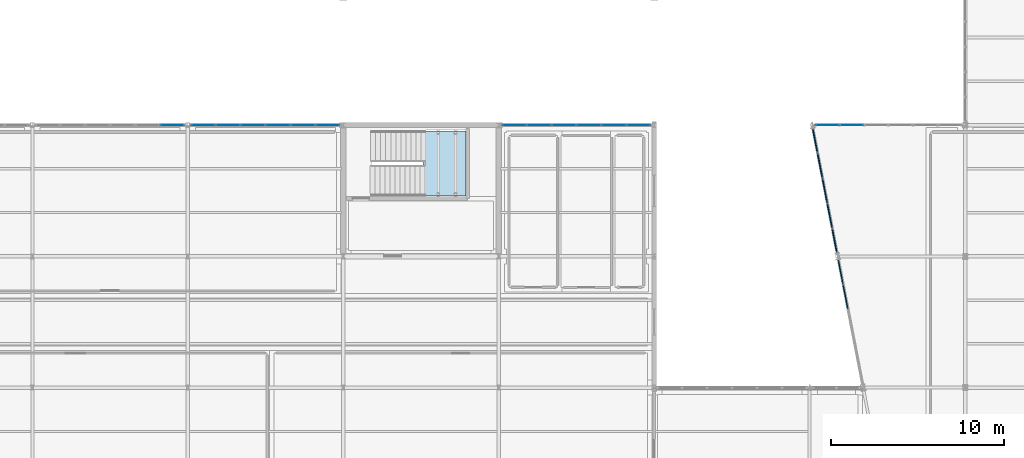
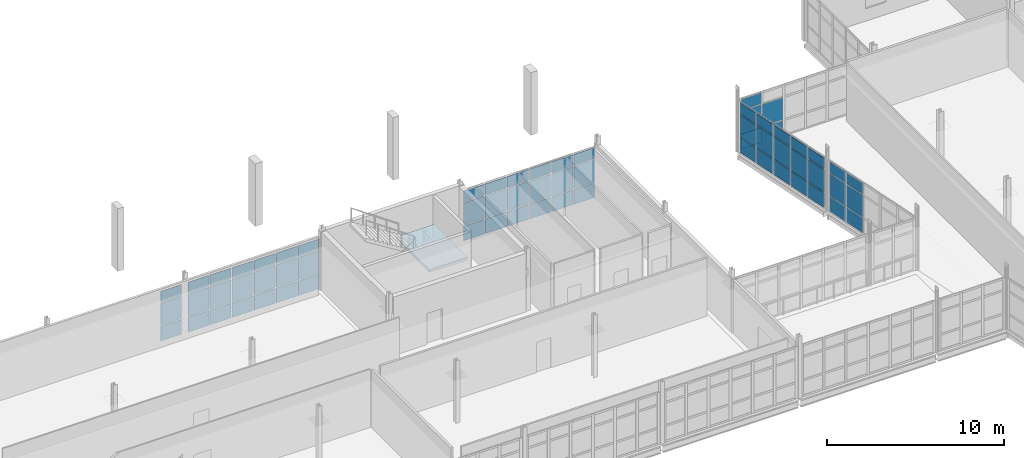
# One storey, part 134 of 166: 65 plates, 1 slab, 7 elements without a shape of their own.
"""IFC4 building model written with IfcOpenShell, lengths in metres."""

from ifc_helpers import new_model, si_unit, direction, frame, origin, origin_2d, place, context, subcontext, project, spatial, polyline, rectangle, outline, extrude, material, layer, layer_set, type_object, element, aggregate, save


model = new_model("IFC4")

# Units and contexts
model_context = context("Model", 3, precision=1e-05, world=origin(), true_north=direction((0.0, 1.0)))
body_context = subcontext(model_context, "Body", "Model", "MODEL_VIEW")
ifc_project = project(units=[si_unit("LENGTHUNIT", "METRE"), si_unit("AREAUNIT", "SQUARE_METRE"), si_unit("VOLUMEUNIT", "CUBIC_METRE"), si_unit("PLANEANGLEUNIT", "RADIAN"), si_unit("MASSUNIT", "GRAM", prefix="KILO")], contexts=[model_context])

# Site, building, storey
site_placement = place(None, origin())
site = spatial("IfcSite", under=ifc_project, at=site_placement, CompositionType="ELEMENT")
building_placement = place(site_placement, origin())
building = spatial("IfcBuilding", under=site, at=building_placement, Name="Caisbarro Railhouse Central Library", CompositionType="ELEMENT")
storey_placement = place(building_placement, frame((0.0, 0.0, 9.360107421875)))
storey = spatial("IfcBuildingStorey", under=building, at=storey_placement, Name="L02", CompositionType="ELEMENT", Elevation=9.360107421875)

# Curtain wall, plates
ifc_material_1 = material(Name="Anodised architectural aluminium", Category="aluminium")
curtain_wall_type_1 = type_object("IfcCurtainWallType", Name="CW-CW03", PredefinedType="NOTDEFINED", material=ifc_material_1)
curtain_wall_1_placement = place(storey_placement, origin())
curtain_wall_1 = element("IfcCurtainWall", 1, at=curtain_wall_1_placement, inside=storey, type_object=curtain_wall_type_1, Name="CW03 curtain wall L02 #131", PredefinedType="NOTDEFINED")
ifc_material_2 = material(Name="Double low-e laminated solar-control glass", Category="glass")
ifc_layer_1 = layer(ifc_material_2, 0.0380859375, Name="Double low-e laminated solar-control glass")
ifc_layer_set_1 = layer_set([ifc_layer_1], Name="Double low-e laminated solar-control glass")
plate_type_1 = type_object("IfcPlateType", Name="CWP-CP38", PredefinedType="CURTAIN_PANEL", material=ifc_layer_set_1)
plate_1_placement = place(storey_placement, frame((109.024169921875, 106.39990234375, 0.06494140625), z_axis=(0.0, 0.0, 1.0), x_axis=(1.0, 0.0, 0.0)))
plate_1 = element("IfcPlate", 2, at=plate_1_placement, type_object=plate_type_1, Name="CW03 panel 1.1", PredefinedType="CURTAIN_PANEL", context=body_context, shape_type="SweptSolid", body=[
    extrude(rectangle(XDim=1.326416015625, YDim=0.0380859375, at=origin_2d()), origin(), (0.0, 0.0, 1.0), 1.0224609375),
])
plate_2_placement = place(storey_placement, frame((109.024169921875, 106.39990234375, 1.15234375), z_axis=(0.0, 0.0, 1.0), x_axis=(1.0, 0.0, 0.0)))
plate_2 = element("IfcPlate", 3, at=plate_2_placement, type_object=plate_type_1, Name="CW03 panel 1.2", PredefinedType="CURTAIN_PANEL", context=body_context, shape_type="SweptSolid", body=[
    extrude(rectangle(XDim=1.326416015625, YDim=0.0380859375, at=origin_2d()), origin(), (0.0, 0.0, 1.0), 1.52490234375),
])
plate_3_placement = place(storey_placement, frame((109.024169921875, 106.39990234375, 2.742431640625), z_axis=(0.0, 0.0, 1.0), x_axis=(1.0, 0.0, 0.0)))
plate_3 = element("IfcPlate", 4, at=plate_3_placement, type_object=plate_type_1, Name="CW03 panel 1.3", PredefinedType="CURTAIN_PANEL", context=body_context, shape_type="SweptSolid", body=[
    extrude(rectangle(XDim=1.326416015625, YDim=0.0380859375, at=origin_2d()), origin(), (0.0, 0.0, 1.0), 0.75244140625),
])
plate_4_placement = place(storey_placement, frame((110.431884765625, 106.39990234375, 0.06494140625), z_axis=(0.0, 0.0, 1.0), x_axis=(1.0, 0.0, 0.0)))
plate_4 = element("IfcPlate", 5, at=plate_4_placement, type_object=plate_type_1, Name="CW03 panel 2.1", PredefinedType="CURTAIN_PANEL", context=body_context, shape_type="SweptSolid", body=[
    extrude(rectangle(XDim=1.35888671875, YDim=0.0380859375, at=origin_2d()), origin(), (0.0, 0.0, 1.0), 1.0224609375),
])
plate_5_placement = place(storey_placement, frame((110.431884765625, 106.39990234375, 1.15234375), z_axis=(0.0, 0.0, 1.0), x_axis=(1.0, 0.0, 0.0)))
plate_5 = element("IfcPlate", 6, at=plate_5_placement, type_object=plate_type_1, Name="CW03 panel 2.2", PredefinedType="CURTAIN_PANEL", context=body_context, shape_type="SweptSolid", body=[
    extrude(rectangle(XDim=1.35888671875, YDim=0.0380859375, at=origin_2d()), origin(), (0.0, 0.0, 1.0), 1.52490234375),
])
aggregate(curtain_wall_1, [plate_1, plate_2, plate_3, plate_4, plate_5])

curtain_wall_2_placement = place(storey_placement, origin())
curtain_wall_2 = element("IfcCurtainWall", 7, at=curtain_wall_2_placement, inside=storey, type_object=curtain_wall_type_1, Name="CW03 curtain wall L02 #181", PredefinedType="NOTDEFINED")
plate_6_placement = place(storey_placement, frame((71.100341796875, 106.39990234375, 0.07470703125), z_axis=(0.0, 0.0, 1.0), x_axis=(1.0, 0.0, 0.0)))
plate_6 = element("IfcPlate", 8, at=plate_6_placement, type_object=plate_type_1, Name="CW03 panel 6.1", PredefinedType="CURTAIN_PANEL", context=body_context, shape_type="SweptSolid", body=[
    extrude(rectangle(XDim=1.34912109375, YDim=0.0380859375, at=origin_2d()), origin(), (0.0, 0.0, 1.0), 1.007568359375),
])
plate_7_placement = place(storey_placement, frame((71.100341796875, 106.39990234375, 1.1572265625), z_axis=(0.0, 0.0, 1.0), x_axis=(1.0, 0.0, 0.0)))
plate_7 = element("IfcPlate", 9, at=plate_7_placement, type_object=plate_type_1, Name="CW03 panel 6.2", PredefinedType="CURTAIN_PANEL", context=body_context, shape_type="SweptSolid", body=[
    extrude(rectangle(XDim=1.34912109375, YDim=0.0380859375, at=origin_2d()), origin(), (0.0, 0.0, 1.0), 1.534912109375),
])
plate_8_placement = place(storey_placement, frame((71.100341796875, 106.39990234375, 2.767578125), z_axis=(0.0, 0.0, 1.0), x_axis=(1.0, 0.0, 0.0)))
plate_8 = element("IfcPlate", 10, at=plate_8_placement, type_object=plate_type_1, Name="CW03 panel 6.3", PredefinedType="CURTAIN_PANEL", context=body_context, shape_type="SweptSolid", body=[
    extrude(rectangle(XDim=1.34912109375, YDim=0.0380859375, at=origin_2d()), origin(), (0.0, 0.0, 1.0), 0.737548828125),
])
aggregate(curtain_wall_2, [plate_6, plate_7, plate_8])

curtain_wall_3_placement = place(storey_placement, origin())
curtain_wall_3 = element("IfcCurtainWall", 11, at=curtain_wall_3_placement, inside=storey, type_object=curtain_wall_type_1, Name="CW03 curtain wall L02 #183", PredefinedType="NOTDEFINED")
plate_9_placement = place(storey_placement, frame((72.899658203125, 106.39990234375, 0.07470703125), z_axis=(0.0, 0.0, 1.0), x_axis=(1.0, 0.0, 0.0)))
plate_9 = element("IfcPlate", 12, at=plate_9_placement, type_object=plate_type_1, Name="CW03 panel 1.1", PredefinedType="CURTAIN_PANEL", context=body_context, shape_type="SweptSolid", body=[
    extrude(rectangle(XDim=1.34912109375, YDim=0.0380859375, at=origin_2d()), origin(), (0.0, 0.0, 1.0), 1.007568359375),
])
plate_10_placement = place(storey_placement, frame((72.899658203125, 106.39990234375, 1.1572265625), z_axis=(0.0, 0.0, 1.0), x_axis=(1.0, 0.0, 0.0)))
plate_10 = element("IfcPlate", 13, at=plate_10_placement, type_object=plate_type_1, Name="CW03 panel 1.2", PredefinedType="CURTAIN_PANEL", context=body_context, shape_type="SweptSolid", body=[
    extrude(rectangle(XDim=1.34912109375, YDim=0.0380859375, at=origin_2d()), origin(), (0.0, 0.0, 1.0), 1.534912109375),
])
plate_11_placement = place(storey_placement, frame((72.899658203125, 106.39990234375, 2.767578125), z_axis=(0.0, 0.0, 1.0), x_axis=(1.0, 0.0, 0.0)))
plate_11 = element("IfcPlate", 14, at=plate_11_placement, type_object=plate_type_1, Name="CW03 panel 1.3", PredefinedType="CURTAIN_PANEL", context=body_context, shape_type="SweptSolid", body=[
    extrude(rectangle(XDim=1.34912109375, YDim=0.0380859375, at=origin_2d()), origin(), (0.0, 0.0, 1.0), 0.737548828125),
])
plate_12_placement = place(storey_placement, frame((74.330078125, 106.39990234375, 0.07470703125), z_axis=(0.0, 0.0, 1.0), x_axis=(1.0, 0.0, 0.0)))
plate_12 = element("IfcPlate", 15, at=plate_12_placement, type_object=plate_type_1, Name="CW03 panel 2.1", PredefinedType="CURTAIN_PANEL", context=body_context, shape_type="SweptSolid", body=[
    extrude(rectangle(XDim=1.381591796875, YDim=0.0380859375, at=origin_2d()), origin(), (0.0, 0.0, 1.0), 1.007568359375),
])
plate_13_placement = place(storey_placement, frame((74.330078125, 106.39990234375, 1.1572265625), z_axis=(0.0, 0.0, 1.0), x_axis=(1.0, 0.0, 0.0)))
plate_13 = element("IfcPlate", 16, at=plate_13_placement, type_object=plate_type_1, Name="CW03 panel 2.2", PredefinedType="CURTAIN_PANEL", context=body_context, shape_type="SweptSolid", body=[
    extrude(rectangle(XDim=1.381591796875, YDim=0.0380859375, at=origin_2d()), origin(), (0.0, 0.0, 1.0), 1.534912109375),
])
plate_14_placement = place(storey_placement, frame((74.330078125, 106.39990234375, 2.767578125), z_axis=(0.0, 0.0, 1.0), x_axis=(1.0, 0.0, 0.0)))
plate_14 = element("IfcPlate", 17, at=plate_14_placement, type_object=plate_type_1, Name="CW03 panel 2.3", PredefinedType="CURTAIN_PANEL", context=body_context, shape_type="SweptSolid", body=[
    extrude(rectangle(XDim=1.381591796875, YDim=0.0380859375, at=origin_2d()), origin(), (0.0, 0.0, 1.0), 0.737548828125),
])
plate_15_placement = place(storey_placement, frame((75.776611328125, 106.39990234375, 0.07470703125), z_axis=(0.0, 0.0, 1.0), x_axis=(1.0, 0.0, 0.0)))
plate_15 = element("IfcPlate", 18, at=plate_15_placement, type_object=plate_type_1, Name="CW03 panel 3.1", PredefinedType="CURTAIN_PANEL", context=body_context, shape_type="SweptSolid", body=[
    extrude(rectangle(XDim=1.381591796875, YDim=0.0380859375, at=origin_2d()), origin(), (0.0, 0.0, 1.0), 1.007568359375),
])
plate_16_placement = place(storey_placement, frame((75.776611328125, 106.39990234375, 1.1572265625), z_axis=(0.0, 0.0, 1.0), x_axis=(1.0, 0.0, 0.0)))
plate_16 = element("IfcPlate", 19, at=plate_16_placement, type_object=plate_type_1, Name="CW03 panel 3.2", PredefinedType="CURTAIN_PANEL", context=body_context, shape_type="SweptSolid", body=[
    extrude(rectangle(XDim=1.381591796875, YDim=0.0380859375, at=origin_2d()), origin(), (0.0, 0.0, 1.0), 1.534912109375),
])
plate_17_placement = place(storey_placement, frame((75.776611328125, 106.39990234375, 2.767578125), z_axis=(0.0, 0.0, 1.0), x_axis=(1.0, 0.0, 0.0)))
plate_17 = element("IfcPlate", 20, at=plate_17_placement, type_object=plate_type_1, Name="CW03 panel 3.3", PredefinedType="CURTAIN_PANEL", context=body_context, shape_type="SweptSolid", body=[
    extrude(rectangle(XDim=1.381591796875, YDim=0.0380859375, at=origin_2d()), origin(), (0.0, 0.0, 1.0), 0.737548828125),
])
plate_18_placement = place(storey_placement, frame((77.223388671875, 106.39990234375, 0.07470703125), z_axis=(0.0, 0.0, 1.0), x_axis=(1.0, 0.0, 0.0)))
plate_18 = element("IfcPlate", 21, at=plate_18_placement, type_object=plate_type_1, Name="CW03 panel 4.1", PredefinedType="CURTAIN_PANEL", context=body_context, shape_type="SweptSolid", body=[
    extrude(rectangle(XDim=1.381591796875, YDim=0.0380859375, at=origin_2d()), origin(), (0.0, 0.0, 1.0), 1.007568359375),
])
plate_19_placement = place(storey_placement, frame((77.223388671875, 106.39990234375, 1.1572265625), z_axis=(0.0, 0.0, 1.0), x_axis=(1.0, 0.0, 0.0)))
plate_19 = element("IfcPlate", 22, at=plate_19_placement, type_object=plate_type_1, Name="CW03 panel 4.2", PredefinedType="CURTAIN_PANEL", context=body_context, shape_type="SweptSolid", body=[
    extrude(rectangle(XDim=1.381591796875, YDim=0.0380859375, at=origin_2d()), origin(), (0.0, 0.0, 1.0), 1.534912109375),
])
plate_20_placement = place(storey_placement, frame((77.223388671875, 106.39990234375, 2.767578125), z_axis=(0.0, 0.0, 1.0), x_axis=(1.0, 0.0, 0.0)))
plate_20 = element("IfcPlate", 23, at=plate_20_placement, type_object=plate_type_1, Name="CW03 panel 4.3", PredefinedType="CURTAIN_PANEL", context=body_context, shape_type="SweptSolid", body=[
    extrude(rectangle(XDim=1.381591796875, YDim=0.0380859375, at=origin_2d()), origin(), (0.0, 0.0, 1.0), 0.737548828125),
])
plate_21_placement = place(storey_placement, frame((78.669921875, 106.39990234375, 0.07470703125), z_axis=(0.0, 0.0, 1.0), x_axis=(1.0, 0.0, 0.0)))
plate_21 = element("IfcPlate", 24, at=plate_21_placement, type_object=plate_type_1, Name="CW03 panel 5.1", PredefinedType="CURTAIN_PANEL", context=body_context, shape_type="SweptSolid", body=[
    extrude(rectangle(XDim=1.381591796875, YDim=0.0380859375, at=origin_2d()), origin(), (0.0, 0.0, 1.0), 1.007568359375),
])
plate_22_placement = place(storey_placement, frame((78.669921875, 106.39990234375, 1.1572265625), z_axis=(0.0, 0.0, 1.0), x_axis=(1.0, 0.0, 0.0)))
plate_22 = element("IfcPlate", 25, at=plate_22_placement, type_object=plate_type_1, Name="CW03 panel 5.2", PredefinedType="CURTAIN_PANEL", context=body_context, shape_type="SweptSolid", body=[
    extrude(rectangle(XDim=1.381591796875, YDim=0.0380859375, at=origin_2d()), origin(), (0.0, 0.0, 1.0), 1.534912109375),
])
plate_23_placement = place(storey_placement, frame((78.669921875, 106.39990234375, 2.767578125), z_axis=(0.0, 0.0, 1.0), x_axis=(1.0, 0.0, 0.0)))
plate_23 = element("IfcPlate", 26, at=plate_23_placement, type_object=plate_type_1, Name="CW03 panel 5.3", PredefinedType="CURTAIN_PANEL", context=body_context, shape_type="SweptSolid", body=[
    extrude(rectangle(XDim=1.381591796875, YDim=0.0380859375, at=origin_2d()), origin(), (0.0, 0.0, 1.0), 0.737548828125),
])
plate_24_placement = place(storey_placement, frame((80.100341796875, 106.39990234375, 0.07470703125), z_axis=(0.0, 0.0, 1.0), x_axis=(1.0, 0.0, 0.0)))
plate_24 = element("IfcPlate", 27, at=plate_24_placement, type_object=plate_type_1, Name="CW03 panel 6.1", PredefinedType="CURTAIN_PANEL", context=body_context, shape_type="SweptSolid", body=[
    extrude(rectangle(XDim=1.34912109375, YDim=0.0380859375, at=origin_2d()), origin(), (0.0, 0.0, 1.0), 1.007568359375),
])
plate_25_placement = place(storey_placement, frame((80.100341796875, 106.39990234375, 1.1572265625), z_axis=(0.0, 0.0, 1.0), x_axis=(1.0, 0.0, 0.0)))
plate_25 = element("IfcPlate", 28, at=plate_25_placement, type_object=plate_type_1, Name="CW03 panel 6.2", PredefinedType="CURTAIN_PANEL", context=body_context, shape_type="SweptSolid", body=[
    extrude(rectangle(XDim=1.34912109375, YDim=0.0380859375, at=origin_2d()), origin(), (0.0, 0.0, 1.0), 1.534912109375),
])
plate_26_placement = place(storey_placement, frame((80.100341796875, 106.39990234375, 2.767578125), z_axis=(0.0, 0.0, 1.0), x_axis=(1.0, 0.0, 0.0)))
plate_26 = element("IfcPlate", 29, at=plate_26_placement, type_object=plate_type_1, Name="CW03 panel 6.3", PredefinedType="CURTAIN_PANEL", context=body_context, shape_type="SweptSolid", body=[
    extrude(rectangle(XDim=1.34912109375, YDim=0.0380859375, at=origin_2d()), origin(), (0.0, 0.0, 1.0), 0.737548828125),
])
aggregate(curtain_wall_3, [plate_9, plate_10, plate_11, plate_12, plate_13, plate_14, plate_15, plate_16, plate_17, plate_18, plate_19, plate_20, plate_21, plate_22, plate_23, plate_24, plate_25, plate_26])

curtain_wall_4_placement = place(storey_placement, origin())
curtain_wall_4 = element("IfcCurtainWall", 30, at=curtain_wall_4_placement, inside=storey, type_object=curtain_wall_type_1, Name="CW03 curtain wall L02 #186", PredefinedType="NOTDEFINED")
plate_27_placement = place(storey_placement, frame((90.899658203125, 106.39990234375, 0.07470703125), z_axis=(0.0, 0.0, 1.0), x_axis=(1.0, 0.0, 0.0)))
plate_27 = element("IfcPlate", 31, at=plate_27_placement, type_object=plate_type_1, Name="CW03 panel 1.1", PredefinedType="CURTAIN_PANEL", context=body_context, shape_type="SweptSolid", body=[
    extrude(rectangle(XDim=1.34912109375, YDim=0.0380859375, at=origin_2d()), origin(), (0.0, 0.0, 1.0), 1.007568359375),
])
plate_28_placement = place(storey_placement, frame((90.899658203125, 106.39990234375, 1.1572265625), z_axis=(0.0, 0.0, 1.0), x_axis=(1.0, 0.0, 0.0)))
plate_28 = element("IfcPlate", 32, at=plate_28_placement, type_object=plate_type_1, Name="CW03 panel 1.2", PredefinedType="CURTAIN_PANEL", context=body_context, shape_type="SweptSolid", body=[
    extrude(rectangle(XDim=1.34912109375, YDim=0.0380859375, at=origin_2d()), origin(), (0.0, 0.0, 1.0), 1.534912109375),
])
plate_29_placement = place(storey_placement, frame((90.899658203125, 106.39990234375, 2.767578125), z_axis=(0.0, 0.0, 1.0), x_axis=(1.0, 0.0, 0.0)))
plate_29 = element("IfcPlate", 33, at=plate_29_placement, type_object=plate_type_1, Name="CW03 panel 1.3", PredefinedType="CURTAIN_PANEL", context=body_context, shape_type="SweptSolid", body=[
    extrude(rectangle(XDim=1.34912109375, YDim=0.0380859375, at=origin_2d()), origin(), (0.0, 0.0, 1.0), 0.737548828125),
])
plate_30_placement = place(storey_placement, frame((92.330078125, 106.39990234375, 0.07470703125), z_axis=(0.0, 0.0, 1.0), x_axis=(1.0, 0.0, 0.0)))
plate_30 = element("IfcPlate", 34, at=plate_30_placement, type_object=plate_type_1, Name="CW03 panel 2.1", PredefinedType="CURTAIN_PANEL", context=body_context, shape_type="SweptSolid", body=[
    extrude(rectangle(XDim=1.381591796875, YDim=0.0380859375, at=origin_2d()), origin(), (0.0, 0.0, 1.0), 1.007568359375),
])
plate_31_placement = place(storey_placement, frame((92.330078125, 106.39990234375, 1.1572265625), z_axis=(0.0, 0.0, 1.0), x_axis=(1.0, 0.0, 0.0)))
plate_31 = element("IfcPlate", 35, at=plate_31_placement, type_object=plate_type_1, Name="CW03 panel 2.2", PredefinedType="CURTAIN_PANEL", context=body_context, shape_type="SweptSolid", body=[
    extrude(rectangle(XDim=1.381591796875, YDim=0.0380859375, at=origin_2d()), origin(), (0.0, 0.0, 1.0), 1.534912109375),
])
plate_32_placement = place(storey_placement, frame((92.330078125, 106.39990234375, 2.767578125), z_axis=(0.0, 0.0, 1.0), x_axis=(1.0, 0.0, 0.0)))
plate_32 = element("IfcPlate", 36, at=plate_32_placement, type_object=plate_type_1, Name="CW03 panel 2.3", PredefinedType="CURTAIN_PANEL", context=body_context, shape_type="SweptSolid", body=[
    extrude(rectangle(XDim=1.381591796875, YDim=0.0380859375, at=origin_2d()), origin(), (0.0, 0.0, 1.0), 0.737548828125),
])
plate_33_placement = place(storey_placement, frame((93.776611328125, 106.39990234375, 0.07470703125), z_axis=(0.0, 0.0, 1.0), x_axis=(1.0, 0.0, 0.0)))
plate_33 = element("IfcPlate", 37, at=plate_33_placement, type_object=plate_type_1, Name="CW03 panel 3.1", PredefinedType="CURTAIN_PANEL", context=body_context, shape_type="SweptSolid", body=[
    extrude(rectangle(XDim=1.381591796875, YDim=0.0380859375, at=origin_2d()), origin(), (0.0, 0.0, 1.0), 1.007568359375),
])
plate_34_placement = place(storey_placement, frame((93.776611328125, 106.39990234375, 1.1572265625), z_axis=(0.0, 0.0, 1.0), x_axis=(1.0, 0.0, 0.0)))
plate_34 = element("IfcPlate", 38, at=plate_34_placement, type_object=plate_type_1, Name="CW03 panel 3.2", PredefinedType="CURTAIN_PANEL", context=body_context, shape_type="SweptSolid", body=[
    extrude(rectangle(XDim=1.381591796875, YDim=0.0380859375, at=origin_2d()), origin(), (0.0, 0.0, 1.0), 1.534912109375),
])
plate_35_placement = place(storey_placement, frame((93.776611328125, 106.39990234375, 2.767578125), z_axis=(0.0, 0.0, 1.0), x_axis=(1.0, 0.0, 0.0)))
plate_35 = element("IfcPlate", 39, at=plate_35_placement, type_object=plate_type_1, Name="CW03 panel 3.3", PredefinedType="CURTAIN_PANEL", context=body_context, shape_type="SweptSolid", body=[
    extrude(rectangle(XDim=1.381591796875, YDim=0.0380859375, at=origin_2d()), origin(), (0.0, 0.0, 1.0), 0.737548828125),
])
plate_36_placement = place(storey_placement, frame((95.223388671875, 106.39990234375, 0.07470703125), z_axis=(0.0, 0.0, 1.0), x_axis=(1.0, 0.0, 0.0)))
plate_36 = element("IfcPlate", 40, at=plate_36_placement, type_object=plate_type_1, Name="CW03 panel 4.1", PredefinedType="CURTAIN_PANEL", context=body_context, shape_type="SweptSolid", body=[
    extrude(rectangle(XDim=1.381591796875, YDim=0.0380859375, at=origin_2d()), origin(), (0.0, 0.0, 1.0), 1.007568359375),
])
plate_37_placement = place(storey_placement, frame((95.223388671875, 106.39990234375, 1.1572265625), z_axis=(0.0, 0.0, 1.0), x_axis=(1.0, 0.0, 0.0)))
plate_37 = element("IfcPlate", 41, at=plate_37_placement, type_object=plate_type_1, Name="CW03 panel 4.2", PredefinedType="CURTAIN_PANEL", context=body_context, shape_type="SweptSolid", body=[
    extrude(rectangle(XDim=1.381591796875, YDim=0.0380859375, at=origin_2d()), origin(), (0.0, 0.0, 1.0), 1.534912109375),
])
plate_38_placement = place(storey_placement, frame((95.223388671875, 106.39990234375, 2.767578125), z_axis=(0.0, 0.0, 1.0), x_axis=(1.0, 0.0, 0.0)))
plate_38 = element("IfcPlate", 42, at=plate_38_placement, type_object=plate_type_1, Name="CW03 panel 4.3", PredefinedType="CURTAIN_PANEL", context=body_context, shape_type="SweptSolid", body=[
    extrude(rectangle(XDim=1.381591796875, YDim=0.0380859375, at=origin_2d()), origin(), (0.0, 0.0, 1.0), 0.737548828125),
])
plate_39_placement = place(storey_placement, frame((96.669921875, 106.39990234375, 0.07470703125), z_axis=(0.0, 0.0, 1.0), x_axis=(1.0, 0.0, 0.0)))
plate_39 = element("IfcPlate", 43, at=plate_39_placement, type_object=plate_type_1, Name="CW03 panel 5.1", PredefinedType="CURTAIN_PANEL", context=body_context, shape_type="SweptSolid", body=[
    extrude(rectangle(XDim=1.381591796875, YDim=0.0380859375, at=origin_2d()), origin(), (0.0, 0.0, 1.0), 1.007568359375),
])
plate_40_placement = place(storey_placement, frame((96.669921875, 106.39990234375, 1.1572265625), z_axis=(0.0, 0.0, 1.0), x_axis=(1.0, 0.0, 0.0)))
plate_40 = element("IfcPlate", 44, at=plate_40_placement, type_object=plate_type_1, Name="CW03 panel 5.2", PredefinedType="CURTAIN_PANEL", context=body_context, shape_type="SweptSolid", body=[
    extrude(rectangle(XDim=1.381591796875, YDim=0.0380859375, at=origin_2d()), origin(), (0.0, 0.0, 1.0), 1.534912109375),
])
plate_41_placement = place(storey_placement, frame((96.669921875, 106.39990234375, 2.767578125), z_axis=(0.0, 0.0, 1.0), x_axis=(1.0, 0.0, 0.0)))
plate_41 = element("IfcPlate", 45, at=plate_41_placement, type_object=plate_type_1, Name="CW03 panel 5.3", PredefinedType="CURTAIN_PANEL", context=body_context, shape_type="SweptSolid", body=[
    extrude(rectangle(XDim=1.381591796875, YDim=0.0380859375, at=origin_2d()), origin(), (0.0, 0.0, 1.0), 0.737548828125),
])
plate_42_placement = place(storey_placement, frame((98.100341796875, 106.39990234375, 0.07470703125), z_axis=(0.0, 0.0, 1.0), x_axis=(1.0, 0.0, 0.0)))
plate_42 = element("IfcPlate", 46, at=plate_42_placement, type_object=plate_type_1, Name="CW03 panel 6.1", PredefinedType="CURTAIN_PANEL", context=body_context, shape_type="SweptSolid", body=[
    extrude(rectangle(XDim=1.34912109375, YDim=0.0380859375, at=origin_2d()), origin(), (0.0, 0.0, 1.0), 1.007568359375),
])
plate_43_placement = place(storey_placement, frame((98.100341796875, 106.39990234375, 1.1572265625), z_axis=(0.0, 0.0, 1.0), x_axis=(1.0, 0.0, 0.0)))
plate_43 = element("IfcPlate", 47, at=plate_43_placement, type_object=plate_type_1, Name="CW03 panel 6.2", PredefinedType="CURTAIN_PANEL", context=body_context, shape_type="SweptSolid", body=[
    extrude(rectangle(XDim=1.34912109375, YDim=0.0380859375, at=origin_2d()), origin(), (0.0, 0.0, 1.0), 1.534912109375),
])
plate_44_placement = place(storey_placement, frame((98.100341796875, 106.39990234375, 2.767578125), z_axis=(0.0, 0.0, 1.0), x_axis=(1.0, 0.0, 0.0)))
plate_44 = element("IfcPlate", 48, at=plate_44_placement, type_object=plate_type_1, Name="CW03 panel 6.3", PredefinedType="CURTAIN_PANEL", context=body_context, shape_type="SweptSolid", body=[
    extrude(rectangle(XDim=1.34912109375, YDim=0.0380859375, at=origin_2d()), origin(), (0.0, 0.0, 1.0), 0.737548828125),
])
aggregate(curtain_wall_4, [plate_27, plate_28, plate_29, plate_30, plate_31, plate_32, plate_33, plate_34, plate_35, plate_36, plate_37, plate_38, plate_39, plate_40, plate_41, plate_42, plate_43, plate_44])

curtain_wall_type_2 = type_object("IfcCurtainWallType", Name="CW-CW02", PredefinedType="NOTDEFINED", material=ifc_material_1)
curtain_wall_5_placement = place(storey_placement, origin())
curtain_wall_5 = element("IfcCurtainWall", 49, at=curtain_wall_5_placement, inside=storey, type_object=curtain_wall_type_2, Name="CW02 curtain wall L02 #129", PredefinedType="NOTDEFINED")
ifc_layer_2 = layer(ifc_material_2, 0.05810546875, Name="Double low-e laminated solar-control glass")
ifc_layer_set_2 = layer_set([ifc_layer_2], Name="Double low-e laminated solar-control glass")
plate_type_2 = type_object("IfcPlateType", Name="CWP-CP58", PredefinedType="CURTAIN_PANEL", material=ifc_layer_set_2)
plate_45_placement = place(storey_placement, frame((110.0693359375, 96.457275390625, 0.06494140625), z_axis=(0.0, 0.0, 1.0), x_axis=(-0.190780945369, 0.981632635401, 0.0)))
plate_45 = element("IfcPlate", 50, at=plate_45_placement, type_object=plate_type_2, Name="CW02 panel 4.1", PredefinedType="CURTAIN_PANEL", context=body_context, shape_type="SweptSolid", body=[
    extrude(rectangle(XDim=1.409423828125, YDim=0.05810546875, at=origin_2d()), origin(), (0.0, 0.0, 1.0), 1.0224609375),
])
plate_46_placement = place(storey_placement, frame((110.0693359375, 96.457275390625, 1.15234375), z_axis=(0.0, 0.0, 1.0), x_axis=(-0.190780945369, 0.981632635401, 0.0)))
plate_46 = element("IfcPlate", 51, at=plate_46_placement, type_object=plate_type_2, Name="CW02 panel 4.2", PredefinedType="CURTAIN_PANEL", context=body_context, shape_type="SweptSolid", body=[
    extrude(rectangle(XDim=1.409423828125, YDim=0.05810546875, at=origin_2d()), origin(), (0.0, 0.0, 1.0), 1.52490234375),
])
plate_47_placement = place(storey_placement, frame((110.0693359375, 96.457275390625, 2.742431640625), z_axis=(0.0, 0.0, 1.0), x_axis=(-0.190780945369, 0.981632635401, 0.0)))
plate_47 = element("IfcPlate", 52, at=plate_47_placement, type_object=plate_type_2, Name="CW02 panel 4.3", PredefinedType="CURTAIN_PANEL", context=body_context, shape_type="SweptSolid", body=[
    extrude(rectangle(XDim=1.409423828125, YDim=0.05810546875, at=origin_2d()), origin(), (0.0, 0.0, 1.0), 0.75244140625),
])
plate_48_placement = place(storey_placement, frame((109.789794921875, 97.89599609375, 0.06494140625), z_axis=(0.0, 0.0, 1.0), x_axis=(-0.190780945369, 0.981632635401, 0.0)))
plate_48 = element("IfcPlate", 53, at=plate_48_placement, type_object=plate_type_2, Name="CW02 panel 5.1", PredefinedType="CURTAIN_PANEL", context=body_context, shape_type="SweptSolid", body=[
    extrude(rectangle(XDim=1.371826171875, YDim=0.05810546875, at=origin_2d()), origin(), (0.0, 0.0, 1.0), 1.0224609375),
])
plate_49_placement = place(storey_placement, frame((109.789794921875, 97.89599609375, 1.15234375), z_axis=(0.0, 0.0, 1.0), x_axis=(-0.190780945369, 0.981632635401, 0.0)))
plate_49 = element("IfcPlate", 54, at=plate_49_placement, type_object=plate_type_2, Name="CW02 panel 5.2", PredefinedType="CURTAIN_PANEL", context=body_context, shape_type="SweptSolid", body=[
    extrude(rectangle(XDim=1.371826171875, YDim=0.05810546875, at=origin_2d()), origin(), (0.0, 0.0, 1.0), 1.52490234375),
])
plate_50_placement = place(storey_placement, frame((109.789794921875, 97.89599609375, 2.742431640625), z_axis=(0.0, 0.0, 1.0), x_axis=(-0.190780945369, 0.981632635401, 0.0)))
plate_50 = element("IfcPlate", 55, at=plate_50_placement, type_object=plate_type_2, Name="CW02 panel 5.3", PredefinedType="CURTAIN_PANEL", context=body_context, shape_type="SweptSolid", body=[
    extrude(rectangle(XDim=1.371826171875, YDim=0.05810546875, at=origin_2d()), origin(), (0.0, 0.0, 1.0), 0.75244140625),
])
aggregate(curtain_wall_5, [plate_45, plate_46, plate_47, plate_48, plate_49, plate_50])

curtain_wall_6_placement = place(storey_placement, origin())
curtain_wall_6 = element("IfcCurtainWall", 56, at=curtain_wall_6_placement, inside=storey, type_object=curtain_wall_type_2, Name="CW02 curtain wall L02 #130", PredefinedType="NOTDEFINED")
ifc_layer_3 = layer(ifc_material_2, 0.068115234375, Name="Double low-e laminated solar-control glass")
ifc_layer_set_3 = layer_set([ifc_layer_3], Name="Double low-e laminated solar-control glass")
plate_type_3 = type_object("IfcPlateType", Name="CWP-CP68", PredefinedType="CURTAIN_PANEL", material=ifc_layer_set_3)
plate_51_placement = place(storey_placement, frame((109.438232421875, 99.7041015625, 0.06494140625), z_axis=(0.0, 0.0, 1.0), x_axis=(-0.190910768765, 0.98160739523, 0.0)))
plate_51 = element("IfcPlate", 57, at=plate_51_placement, type_object=plate_type_3, Name="CW02 panel 1.1", PredefinedType="CURTAIN_PANEL", context=body_context, shape_type="SweptSolid", body=[
    extrude(rectangle(XDim=1.3720703125, YDim=0.068115234375, at=origin_2d()), origin(), (0.0, 0.0, 1.0), 1.0224609375),
])
plate_52_placement = place(storey_placement, frame((109.438232421875, 99.7041015625, 1.15234375), z_axis=(0.0, 0.0, 1.0), x_axis=(-0.190910768765, 0.98160739523, 0.0)))
plate_52 = element("IfcPlate", 58, at=plate_52_placement, type_object=plate_type_3, Name="CW02 panel 1.2", PredefinedType="CURTAIN_PANEL", context=body_context, shape_type="SweptSolid", body=[
    extrude(rectangle(XDim=1.3720703125, YDim=0.068115234375, at=origin_2d()), origin(), (0.0, 0.0, 1.0), 1.52490234375),
])
plate_53_placement = place(storey_placement, frame((109.438232421875, 99.7041015625, 2.742431640625), z_axis=(0.0, 0.0, 1.0), x_axis=(-0.190910768765, 0.98160739523, 0.0)))
plate_53 = element("IfcPlate", 59, at=plate_53_placement, type_object=plate_type_3, Name="CW02 panel 1.3", PredefinedType="CURTAIN_PANEL", context=body_context, shape_type="SweptSolid", body=[
    extrude(rectangle(XDim=1.3720703125, YDim=0.068115234375, at=origin_2d()), origin(), (0.0, 0.0, 1.0), 0.75244140625),
])
plate_54_placement = place(storey_placement, frame((109.158447265625, 101.142822265625, 0.06494140625), z_axis=(0.0, 0.0, 1.0), x_axis=(-0.190910768765, 0.98160739523, 0.0)))
plate_54 = element("IfcPlate", 60, at=plate_54_placement, type_object=plate_type_3, Name="CW02 panel 2.1", PredefinedType="CURTAIN_PANEL", context=body_context, shape_type="SweptSolid", body=[
    extrude(rectangle(XDim=1.409423828125, YDim=0.068115234375, at=origin_2d()), origin(), (0.0, 0.0, 1.0), 1.0224609375),
])
plate_55_placement = place(storey_placement, frame((109.158447265625, 101.142822265625, 1.15234375), z_axis=(0.0, 0.0, 1.0), x_axis=(-0.190910768765, 0.98160739523, 0.0)))
plate_55 = element("IfcPlate", 61, at=plate_55_placement, type_object=plate_type_3, Name="CW02 panel 2.2", PredefinedType="CURTAIN_PANEL", context=body_context, shape_type="SweptSolid", body=[
    extrude(rectangle(XDim=1.409423828125, YDim=0.068115234375, at=origin_2d()), origin(), (0.0, 0.0, 1.0), 1.52490234375),
])
plate_56_placement = place(storey_placement, frame((109.158447265625, 101.142822265625, 2.742431640625), z_axis=(0.0, 0.0, 1.0), x_axis=(-0.190910768765, 0.98160739523, 0.0)))
plate_56 = element("IfcPlate", 62, at=plate_56_placement, type_object=plate_type_3, Name="CW02 panel 2.3", PredefinedType="CURTAIN_PANEL", context=body_context, shape_type="SweptSolid", body=[
    extrude(rectangle(XDim=1.409423828125, YDim=0.068115234375, at=origin_2d()), origin(), (0.0, 0.0, 1.0), 0.75244140625),
])
plate_57_placement = place(storey_placement, frame((108.875, 102.60009765625, 0.06494140625), z_axis=(0.0, 0.0, 1.0), x_axis=(-0.190910768765, 0.98160739523, 0.0)))
plate_57 = element("IfcPlate", 63, at=plate_57_placement, type_object=plate_type_3, Name="CW02 panel 3.1", PredefinedType="CURTAIN_PANEL", context=body_context, shape_type="SweptSolid", body=[
    extrude(rectangle(XDim=1.409423828125, YDim=0.068115234375, at=origin_2d()), origin(), (0.0, 0.0, 1.0), 1.0224609375),
])
plate_58_placement = place(storey_placement, frame((108.875, 102.60009765625, 1.15234375), z_axis=(0.0, 0.0, 1.0), x_axis=(-0.190910768765, 0.98160739523, 0.0)))
plate_58 = element("IfcPlate", 64, at=plate_58_placement, type_object=plate_type_3, Name="CW02 panel 3.2", PredefinedType="CURTAIN_PANEL", context=body_context, shape_type="SweptSolid", body=[
    extrude(rectangle(XDim=1.409423828125, YDim=0.068115234375, at=origin_2d()), origin(), (0.0, 0.0, 1.0), 1.52490234375),
])
plate_59_placement = place(storey_placement, frame((108.875, 102.60009765625, 2.742431640625), z_axis=(0.0, 0.0, 1.0), x_axis=(-0.190910768765, 0.98160739523, 0.0)))
plate_59 = element("IfcPlate", 65, at=plate_59_placement, type_object=plate_type_3, Name="CW02 panel 3.3", PredefinedType="CURTAIN_PANEL", context=body_context, shape_type="SweptSolid", body=[
    extrude(rectangle(XDim=1.409423828125, YDim=0.068115234375, at=origin_2d()), origin(), (0.0, 0.0, 1.0), 0.75244140625),
])
plate_60_placement = place(storey_placement, frame((108.591552734375, 104.05712890625, 0.06494140625), z_axis=(0.0, 0.0, 1.0), x_axis=(-0.190910768765, 0.98160739523, 0.0)))
plate_60 = element("IfcPlate", 66, at=plate_60_placement, type_object=plate_type_3, Name="CW02 panel 4.1", PredefinedType="CURTAIN_PANEL", context=body_context, shape_type="SweptSolid", body=[
    extrude(rectangle(XDim=1.409423828125, YDim=0.068115234375, at=origin_2d()), origin(), (0.0, 0.0, 1.0), 1.0224609375),
])
plate_61_placement = place(storey_placement, frame((108.591552734375, 104.05712890625, 1.15234375), z_axis=(0.0, 0.0, 1.0), x_axis=(-0.190910768765, 0.98160739523, 0.0)))
plate_61 = element("IfcPlate", 67, at=plate_61_placement, type_object=plate_type_3, Name="CW02 panel 4.2", PredefinedType="CURTAIN_PANEL", context=body_context, shape_type="SweptSolid", body=[
    extrude(rectangle(XDim=1.409423828125, YDim=0.068115234375, at=origin_2d()), origin(), (0.0, 0.0, 1.0), 1.52490234375),
])
plate_62_placement = place(storey_placement, frame((108.591552734375, 104.05712890625, 2.742431640625), z_axis=(0.0, 0.0, 1.0), x_axis=(-0.190910768765, 0.98160739523, 0.0)))
plate_62 = element("IfcPlate", 68, at=plate_62_placement, type_object=plate_type_3, Name="CW02 panel 4.3", PredefinedType="CURTAIN_PANEL", context=body_context, shape_type="SweptSolid", body=[
    extrude(rectangle(XDim=1.409423828125, YDim=0.068115234375, at=origin_2d()), origin(), (0.0, 0.0, 1.0), 0.75244140625),
])
plate_63_placement = place(storey_placement, frame((108.311767578125, 105.495849609375, 0.06494140625), z_axis=(0.0, 0.0, 1.0), x_axis=(-0.190910768765, 0.98160739523, 0.0)))
plate_63 = element("IfcPlate", 69, at=plate_63_placement, type_object=plate_type_3, Name="CW02 panel 5.1", PredefinedType="CURTAIN_PANEL", context=body_context, shape_type="SweptSolid", body=[
    extrude(rectangle(XDim=1.3720703125, YDim=0.068115234375, at=origin_2d()), origin(), (0.0, 0.0, 1.0), 1.0224609375),
])
plate_64_placement = place(storey_placement, frame((108.311767578125, 105.495849609375, 1.15234375), z_axis=(0.0, 0.0, 1.0), x_axis=(-0.190910768765, 0.98160739523, 0.0)))
plate_64 = element("IfcPlate", 70, at=plate_64_placement, type_object=plate_type_3, Name="CW02 panel 5.2", PredefinedType="CURTAIN_PANEL", context=body_context, shape_type="SweptSolid", body=[
    extrude(rectangle(XDim=1.3720703125, YDim=0.068115234375, at=origin_2d()), origin(), (0.0, 0.0, 1.0), 1.52490234375),
])
plate_65_placement = place(storey_placement, frame((108.311767578125, 105.495849609375, 2.742431640625), z_axis=(0.0, 0.0, 1.0), x_axis=(-0.190910768765, 0.98160739523, 0.0)))
plate_65 = element("IfcPlate", 71, at=plate_65_placement, type_object=plate_type_3, Name="CW02 panel 5.3", PredefinedType="CURTAIN_PANEL", context=body_context, shape_type="SweptSolid", body=[
    extrude(rectangle(XDim=1.3720703125, YDim=0.068115234375, at=origin_2d()), origin(), (0.0, 0.0, 1.0), 0.75244140625),
])
aggregate(curtain_wall_6, [plate_51, plate_52, plate_53, plate_54, plate_55, plate_56, plate_57, plate_58, plate_59, plate_60, plate_61, plate_62, plate_63, plate_64, plate_65])

# Stair, slab
ifc_material_3 = material(Name="Concrete C35", Category="concrete")
stair_type = type_object("IfcStairType", Name="STR-ST43C", PredefinedType="HALF_TURN_STAIR", material=ifc_material_3)
stair_placement = place(storey_placement, origin())
stair = element("IfcStair", 72, at=stair_placement, inside=storey, type_object=stair_type, Name="Protected Stair ST-05 (L02)", PredefinedType="HALF_TURN_STAIR")
ifc_layer_4 = layer(ifc_material_3, 0.18994140625, Name="Concrete C35")
ifc_layer_set_4 = layer_set([ifc_layer_4], Name="Concrete C35")
slab_type = type_object("IfcSlabType", Name="SLB-LND19", PredefinedType="LANDING", material=ifc_layer_set_4)
slab_placement = place(storey_placement, frame((0.0, 0.0, 1.969970703125)))
slab = element("IfcSlab", 73, at=slab_placement, type_object=slab_type, Name="ST-05 landing 1", PredefinedType="LANDING", context=body_context, shape_type="SweptSolid", body=[
    extrude(outline(polyline([(85.6201171875, 102.2900390625), (88.1201171875, 102.2900390625), (88.1201171875, 106.06005859375), (85.6201171875, 106.06005859375), (85.6201171875, 102.2900390625)])), origin(), (0.0, 0.0, 1.0), 0.18994140625),
])
aggregate(stair, [slab])

save(model, "model.ifc")
